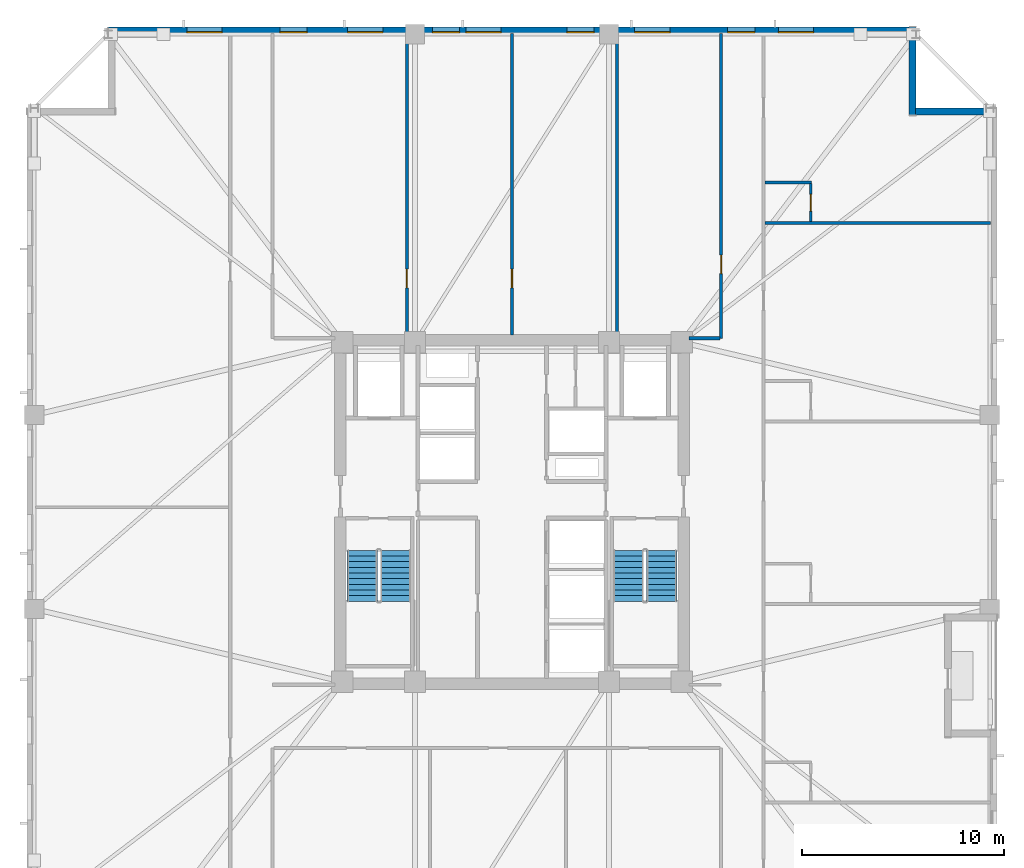
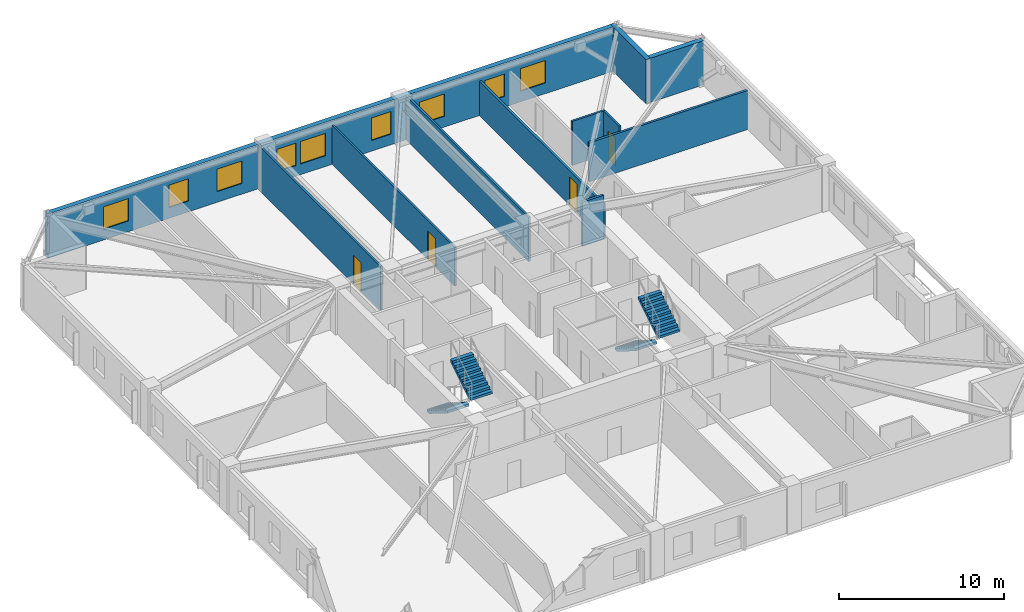
# One storey, part 5 of 10: 11 walls, 9 windows, 4 doors, 4 stair flights, 13 openings, 2 elements without a shape of their own.
"""IFC4 building model written with IfcOpenShell, lengths in metres."""

from ifc_helpers import new_model, si_unit, direction, frame, frame_2d, origin, place, context, subcontext, project, spatial, polyline, rectangle, outline, extrude, material, layer, layer_set, type_object, element, fill, aggregate, save


model = new_model("IFC4")

# Units and contexts
model_context = context("Model", 3, precision=1e-05, world=origin(), true_north=direction((0.0, 1.0)))
body_context = subcontext(model_context, "Body", "Model", "MODEL_VIEW")
ifc_project = project(units=[si_unit("LENGTHUNIT", "METRE"), si_unit("AREAUNIT", "SQUARE_METRE"), si_unit("VOLUMEUNIT", "CUBIC_METRE"), si_unit("PLANEANGLEUNIT", "RADIAN"), si_unit("MASSUNIT", "GRAM", prefix="KILO")], contexts=[model_context])

# Site, building, storey
site_placement = place(None, origin())
site = spatial("IfcSite", under=ifc_project, at=site_placement, CompositionType="ELEMENT")
building_placement = place(site_placement, origin())
building = spatial("IfcBuilding", under=site, at=building_placement, Name="Cairnveth Concourse Tower", CompositionType="ELEMENT")
storey_placement = place(building_placement, frame((0.0, 0.0, 179.5)))
storey = spatial("IfcBuildingStorey", under=building, at=storey_placement, Name="L49", CompositionType="ELEMENT", Elevation=179.5)

# Wall, opening, door
ifc_material_1 = material(Name="Gypsum Plasterboard Partition", Category="gypsum")
ifc_layer_1 = layer(ifc_material_1, 0.159912109375)
ifc_layer_set_1 = layer_set([ifc_layer_1], Name="Gypsum Plasterboard Partition")
wall_type_1 = type_object("IfcWallType", Name="ACOUSTIC PARTY WALL 180", PredefinedType="PARTITIONING", material=ifc_layer_set_1)
wall_1_placement = place(storey_placement, frame((62.35009765625, 47.60009765625, 0.0), z_axis=(0.0, 0.0, 1.0), x_axis=(0.0, 1.0, 0.0)))
wall_1 = element("IfcWall", 1, at=wall_1_placement, inside=storey, type_object=wall_type_1, Name="Interior Wall IW-L49-043", PredefinedType="PARTITIONING", context=body_context, shape_type="SweptSolid", body=[
    extrude(rectangle(XDim=15.074951171875, YDim=0.159912109375, at=frame_2d((7.53759765625, 0.0))), origin(), (0.0, 0.0, 1.0), 2.554931640625),
])
opening_1_placement = place(wall_1_placement, frame((3.199951171875, 0.0, 0.0)))
opening_1 = element("IfcOpeningElement", 2, at=opening_1_placement, cuts=wall_1, Name="Opening ID15", PredefinedType="OPENING", context=body_context, shape_type="SweptSolid", body=[
    extrude(rectangle(XDim=0.919921875, YDim=2.1201171875, at=frame_2d((0.4599609375, 1.06005859375))), frame((0.0, 0.08984375, 0.0), z_axis=(0.0, -1.0, 0.0), x_axis=(1.0, 0.0, 0.0)), (0.0, 0.0, 1.0), 0.179931640625),
])
ifc_material_2 = material(Name="Solid Core Hardwood Timber Leaf", Category="wood")
door_type_1 = type_object("IfcDoorType", Name="INTERIOR SINGLE DOOR 920X2100", OperationType="NOTDEFINED", PredefinedType="DOOR", material=ifc_material_2)
door_1_placement = place(opening_1_placement, origin())
door_1 = element("IfcDoor", 3, at=door_1_placement, inside=storey, type_object=door_type_1, Name="Interior Door DR-L49-018", OperationType="SINGLE_SWING_RIGHT", OverallHeight=2.1201171875, OverallWidth=0.919921875, PredefinedType="DOOR", context=body_context, shape_type="SweptSolid", body=[
    extrude(rectangle(XDim=0.919921875, YDim=2.1201171875, at=frame_2d((0.4599609375, 1.06005859375))), frame((0.0, 0.02490234375, 0.0), z_axis=(0.0, -1.0, 0.0), x_axis=(1.0, 0.0, 0.0)), (0.0, 0.0, 1.0), 0.050048828125),
])
fill(opening_1, door_1)

# Walls
wall_2_placement = place(storey_placement, frame((60.764892578125, 47.60009765625, 0.0), z_axis=(0.0, 0.0, 1.0), x_axis=(1.0, 0.0, 0.0)))
element("IfcWall", 4, at=wall_2_placement, inside=storey, type_object=wall_type_1, Name="Interior Wall IW-L49-045", PredefinedType="PARTITIONING", context=body_context, shape_type="SweptSolid", body=[
    extrude(rectangle(XDim=1.52001953125, YDim=0.159912109375, at=frame_2d((0.760009765625, 0.0))), origin(), (0.0, 0.0, 1.0), 3.280029296875),
])
wall_3_placement = place(storey_placement, frame((64.530029296875, 53.308837890625, 0.0), z_axis=(0.0, 0.0, 1.0), x_axis=(1.0, 0.0, 0.0)))
element("IfcWall", 5, at=wall_3_placement, inside=storey, type_object=wall_type_1, Name="Interior Wall IW-L49-065", PredefinedType="PARTITIONING", context=body_context, shape_type="SweptSolid", body=[
    extrude(rectangle(XDim=11.14501953125, YDim=0.159912109375, at=frame_2d((5.572509765625, 0.0))), origin(), (0.0, 0.0, 1.0), 2.89599609375),
])

# Wall, opening, door
ifc_layer_2 = layer(ifc_material_1, 0.139892578125)
ifc_layer_set_2 = layer_set([ifc_layer_2], Name="Gypsum Plasterboard Partition")
wall_type_2 = type_object("IfcWallType", Name="GYPSUM STUD PARTITION 140", PredefinedType="PARTITIONING", material=ifc_layer_set_2)
wall_4_placement = place(storey_placement, frame((46.800048828125, 47.760009765625, 0.0), z_axis=(0.0, 0.0, 1.0), x_axis=(0.0, 1.0, 0.0)))
wall_4 = element("IfcWall", 6, at=wall_4_placement, inside=storey, type_object=wall_type_2, Name="Interior Wall IW-L49-047", PredefinedType="PARTITIONING", context=body_context, shape_type="SweptSolid", body=[
    extrude(rectangle(XDim=14.9150390625, YDim=0.139892578125, at=frame_2d((7.45751953125, 0.0))), origin(), (0.0, 0.0, 1.0), 3.280029296875),
])
opening_2_placement = place(wall_4_placement, frame((2.340087890625, 0.0, 0.0)))
opening_2 = element("IfcOpeningElement", 7, at=opening_2_placement, cuts=wall_4, Name="Opening ID15", PredefinedType="OPENING", context=body_context, shape_type="SweptSolid", body=[
    extrude(rectangle(XDim=0.919921875, YDim=2.1201171875, at=frame_2d((0.4599609375, 1.06005859375))), frame((0.0, 0.079833984375, 0.0), z_axis=(0.0, -1.0, 0.0), x_axis=(1.0, 0.0, 0.0)), (0.0, 0.0, 1.0), 0.159912109375),
])
door_2_placement = place(opening_2_placement, origin())
door_2 = element("IfcDoor", 8, at=door_2_placement, inside=storey, type_object=door_type_1, Name="Interior Door DR-L49-016", OperationType="SINGLE_SWING_RIGHT", OverallHeight=2.1201171875, OverallWidth=0.919921875, PredefinedType="DOOR", context=body_context, shape_type="SweptSolid", body=[
    extrude(rectangle(XDim=0.919921875, YDim=2.1201171875, at=frame_2d((0.4599609375, 1.06005859375))), frame((0.0, 0.02490234375, 0.0), z_axis=(0.0, -1.0, 0.0), x_axis=(1.0, 0.0, 0.0)), (0.0, 0.0, 1.0), 0.050048828125),
])
fill(opening_2, door_2)

wall_5_placement = place(storey_placement, frame((52.0, 47.760009765625, 0.0), z_axis=(0.0, 0.0, 1.0), x_axis=(0.0, 1.0, 0.0)))
wall_5 = element("IfcWall", 9, at=wall_5_placement, inside=storey, type_object=wall_type_2, Name="Interior Wall IW-L49-048", PredefinedType="PARTITIONING", context=body_context, shape_type="SweptSolid", body=[
    extrude(rectangle(XDim=14.9150390625, YDim=0.139892578125, at=frame_2d((7.45751953125, 0.0))), origin(), (0.0, 0.0, 1.0), 2.89599609375),
])
opening_3_placement = place(wall_5_placement, frame((2.340087890625, 0.0, 0.0)))
opening_3 = element("IfcOpeningElement", 10, at=opening_3_placement, cuts=wall_5, Name="Opening ID15", PredefinedType="OPENING", context=body_context, shape_type="SweptSolid", body=[
    extrude(rectangle(XDim=0.919921875, YDim=2.1201171875, at=frame_2d((0.4599609375, 1.06005859375))), frame((0.0, 0.079833984375, 0.0), z_axis=(0.0, -1.0, 0.0), x_axis=(1.0, 0.0, 0.0)), (0.0, 0.0, 1.0), 0.159912109375),
])
door_3_placement = place(opening_3_placement, origin())
door_3 = element("IfcDoor", 11, at=door_3_placement, inside=storey, type_object=door_type_1, Name="Interior Door DR-L49-017", OperationType="SINGLE_SWING_LEFT", OverallHeight=2.1201171875, OverallWidth=0.919921875, PredefinedType="DOOR", context=body_context, shape_type="SweptSolid", body=[
    extrude(rectangle(XDim=0.919921875, YDim=2.1201171875, at=frame_2d((0.4599609375, 1.06005859375))), frame((0.0, 0.02490234375, 0.0), z_axis=(0.0, -1.0, 0.0), x_axis=(1.0, 0.0, 0.0)), (0.0, 0.0, 1.0), 0.050048828125),
])
fill(opening_3, door_3)

# Walls
wall_6_placement = place(storey_placement, frame((57.199951171875, 47.760009765625, 0.0), z_axis=(0.0, 0.0, 1.0), x_axis=(0.0, 1.0, 0.0)))
element("IfcWall", 12, at=wall_6_placement, inside=storey, type_object=wall_type_2, Name="Interior Wall IW-L49-049", PredefinedType="PARTITIONING", context=body_context, shape_type="SweptSolid", body=[
    extrude(rectangle(XDim=14.9150390625, YDim=0.139892578125, at=frame_2d((7.45751953125, 0.0))), origin(), (0.0, 0.0, 1.0), 3.280029296875),
])
ifc_layer_3 = layer(ifc_material_1, 0.1298828125)
ifc_layer_set_3 = layer_set([ifc_layer_3], Name="Gypsum Plasterboard Partition")
wall_type_3 = type_object("IfcWallType", Name="WET AREA PARTITION 140", PredefinedType="PLUMBINGWALL", material=ifc_layer_set_3)
wall_7_placement = place(storey_placement, frame((64.514892578125, 55.308837890625, 0.0), z_axis=(0.0, 0.0, 1.0), x_axis=(1.0, 0.0, 0.0)))
element("IfcWall", 13, at=wall_7_placement, inside=storey, type_object=wall_type_3, Name="Interior Wall IW-L49-066", PredefinedType="PLUMBINGWALL", context=body_context, shape_type="SweptSolid", body=[
    extrude(rectangle(XDim=2.315185546875, YDim=0.1298828125, at=frame_2d((1.15771484375, 0.0))), origin(), (0.0, 0.0, 1.0), 3.280029296875),
])

# Wall, opening, door
wall_8_placement = place(storey_placement, frame((66.780029296875, 53.373779296875, 0.0), z_axis=(0.0, 0.0, 1.0), x_axis=(0.0, 1.0, 0.0)))
wall_8 = element("IfcWall", 14, at=wall_8_placement, inside=storey, type_object=wall_type_3, Name="Interior Wall IW-L49-067", PredefinedType="PLUMBINGWALL", context=body_context, shape_type="SweptSolid", body=[
    extrude(rectangle(XDim=1.885009765625, YDim=0.1298828125, at=frame_2d((0.9423828125, 0.0))), origin(), (0.0, 0.0, 1.0), 3.280029296875),
])
opening_4_placement = place(wall_8_placement, frame((0.52490234375, 0.0, 0.0)))
opening_4 = element("IfcOpeningElement", 15, at=opening_4_placement, cuts=wall_8, Name="Opening ID22", PredefinedType="OPENING", context=body_context, shape_type="SweptSolid", body=[
    extrude(rectangle(XDim=0.820068359375, YDim=2.10009765625, at=frame_2d((0.41015625, 1.050048828125))), frame((0.0, 0.074951171875, 0.0), z_axis=(0.0, -1.0, 0.0), x_axis=(1.0, 0.0, 0.0)), (0.0, 0.0, 1.0), 0.14990234375),
])
door_type_2 = type_object("IfcDoorType", Name="INTERIOR WC DOOR 820X2100", OperationType="NOTDEFINED", PredefinedType="DOOR", material=ifc_material_2)
door_4_placement = place(opening_4_placement, origin())
door_4 = element("IfcDoor", 16, at=door_4_placement, inside=storey, type_object=door_type_2, Name="En-Suite Door L49-E5", OperationType="SINGLE_SWING_RIGHT", OverallHeight=2.10009765625, OverallWidth=0.820068359375, PredefinedType="DOOR", context=body_context, shape_type="SweptSolid", body=[
    extrude(rectangle(XDim=0.820068359375, YDim=2.10009765625, at=frame_2d((0.41015625, 1.050048828125))), frame((0.0, 0.02490234375, 0.0), z_axis=(0.0, -1.0, 0.0), x_axis=(1.0, 0.0, 0.0)), (0.0, 0.0, 1.0), 0.050048828125),
])
fill(opening_4, door_4)

# Wall, openings, windows
ifc_material_3 = material(Name="Hawthorn Red-Ochre Fired Clay Brick Masonry", Category="masonry")
ifc_layer_4 = layer(ifc_material_3, 0.340087890625)
ifc_layer_set_4 = layer_set([ifc_layer_4], Name="Hawthorn Red-Ochre Fired Clay Brick Masonry")
wall_type_4 = type_object("IfcWallType", Name="ZONE 2 BRICK PIER SPANDREL WALL 340", PredefinedType="SOLIDWALL", material=ifc_layer_set_4)
wall_9_placement = place(storey_placement, frame((32.0, 62.830078125, 0.0), z_axis=(0.0, 0.0, 1.0), x_axis=(1.0, 0.0, 0.0)))
wall_9 = element("IfcWall", 17, at=wall_9_placement, inside=storey, type_object=wall_type_4, Name="Exterior Wall EW-L49-S09", PredefinedType="SOLIDWALL", context=body_context, shape_type="SweptSolid", body=[
    extrude(rectangle(XDim=39.681884765625, YDim=0.340087890625, at=frame_2d((19.8408203125, 0.0))), origin(), (0.0, 0.0, 1.0), 3.280029296875),
])
opening_5_placement = place(wall_9_placement, frame((3.90185546875, 0.0, 0.800048828125)))
opening_5 = element("IfcOpeningElement", 18, at=opening_5_placement, cuts=wall_9, Name="Opening W06", PredefinedType="OPENING", context=body_context, shape_type="SweptSolid", body=[
    extrude(rectangle(XDim=1.75, YDim=1.659912109375, at=frame_2d((0.875, 0.830078125))), frame((0.0, 0.179931640625, 0.0), z_axis=(0.0, -1.0, 0.0), x_axis=(1.0, 0.0, 0.0)), (0.0, 0.0, 1.0), 0.360107421875),
])
opening_6_placement = place(wall_9_placement, frame((8.50537109375, 0.0, 0.800048828125)))
opening_6 = element("IfcOpeningElement", 19, at=opening_6_placement, cuts=wall_9, Name="Opening W02", PredefinedType="OPENING", context=body_context, shape_type="SweptSolid", body=[
    extrude(rectangle(XDim=1.35009765625, YDim=1.659912109375, at=frame_2d((0.675048828125, 0.830078125))), frame((0.0, 0.179931640625, 0.0), z_axis=(0.0, -1.0, 0.0), x_axis=(1.0, 0.0, 0.0)), (0.0, 0.0, 1.0), 0.360107421875),
])
opening_7_placement = place(wall_9_placement, frame((11.85888671875, 0.0, 0.800048828125)))
opening_7 = element("IfcOpeningElement", 20, at=opening_7_placement, cuts=wall_9, Name="Opening W06", PredefinedType="OPENING", context=body_context, shape_type="SweptSolid", body=[
    extrude(rectangle(XDim=1.75, YDim=1.659912109375, at=frame_2d((0.875, 0.830078125))), frame((0.0, 0.179931640625, 0.0), z_axis=(0.0, -1.0, 0.0), x_axis=(1.0, 0.0, 0.0)), (0.0, 0.0, 1.0), 0.360107421875),
])
opening_8_placement = place(wall_9_placement, frame((16.0625, 0.0, 0.800048828125)))
opening_8 = element("IfcOpeningElement", 21, at=opening_8_placement, cuts=wall_9, Name="Opening W02", PredefinedType="OPENING", context=body_context, shape_type="SweptSolid", body=[
    extrude(rectangle(XDim=1.35009765625, YDim=1.659912109375, at=frame_2d((0.675048828125, 0.830078125))), frame((0.0, 0.179931640625, 0.0), z_axis=(0.0, -1.0, 0.0), x_axis=(1.0, 0.0, 0.0)), (0.0, 0.0, 1.0), 0.360107421875),
])
opening_9_placement = place(wall_9_placement, frame((17.716064453125, 0.0, 0.800048828125)))
opening_9 = element("IfcOpeningElement", 22, at=opening_9_placement, cuts=wall_9, Name="Opening W06", PredefinedType="OPENING", context=body_context, shape_type="SweptSolid", body=[
    extrude(rectangle(XDim=1.75, YDim=1.659912109375, at=frame_2d((0.875, 0.830078125))), frame((0.0, 0.179931640625, 0.0), z_axis=(0.0, -1.0, 0.0), x_axis=(1.0, 0.0, 0.0)), (0.0, 0.0, 1.0), 0.360107421875),
])
opening_10_placement = place(wall_9_placement, frame((22.719482421875, 0.0, 0.800048828125)))
opening_10 = element("IfcOpeningElement", 23, at=opening_10_placement, cuts=wall_9, Name="Opening W02", PredefinedType="OPENING", context=body_context, shape_type="SweptSolid", body=[
    extrude(rectangle(XDim=1.35009765625, YDim=1.659912109375, at=frame_2d((0.675048828125, 0.830078125))), frame((0.0, 0.179931640625, 0.0), z_axis=(0.0, -1.0, 0.0), x_axis=(1.0, 0.0, 0.0)), (0.0, 0.0, 1.0), 0.360107421875),
])
opening_11_placement = place(wall_9_placement, frame((26.072998046875, 0.0, 0.800048828125)))
opening_11 = element("IfcOpeningElement", 24, at=opening_11_placement, cuts=wall_9, Name="Opening W06", PredefinedType="OPENING", context=body_context, shape_type="SweptSolid", body=[
    extrude(rectangle(XDim=1.75, YDim=1.659912109375, at=frame_2d((0.875, 0.830078125))), frame((0.0, 0.179931640625, 0.0), z_axis=(0.0, -1.0, 0.0), x_axis=(1.0, 0.0, 0.0)), (0.0, 0.0, 1.0), 0.360107421875),
])
opening_12_placement = place(wall_9_placement, frame((30.6767578125, 0.0, 0.800048828125)))
opening_12 = element("IfcOpeningElement", 25, at=opening_12_placement, cuts=wall_9, Name="Opening W02", PredefinedType="OPENING", context=body_context, shape_type="SweptSolid", body=[
    extrude(rectangle(XDim=1.35009765625, YDim=1.659912109375, at=frame_2d((0.675048828125, 0.830078125))), frame((0.0, 0.179931640625, 0.0), z_axis=(0.0, -1.0, 0.0), x_axis=(1.0, 0.0, 0.0)), (0.0, 0.0, 1.0), 0.360107421875),
])
opening_13_placement = place(wall_9_placement, frame((33.18017578125, 0.0, 0.800048828125)))
opening_13 = element("IfcOpeningElement", 26, at=opening_13_placement, cuts=wall_9, Name="Opening W06", PredefinedType="OPENING", context=body_context, shape_type="SweptSolid", body=[
    extrude(rectangle(XDim=1.75, YDim=1.659912109375, at=frame_2d((0.875, 0.830078125))), frame((0.0, 0.179931640625, 0.0), z_axis=(0.0, -1.0, 0.0), x_axis=(1.0, 0.0, 0.0)), (0.0, 0.0, 1.0), 0.360107421875),
])
ifc_material_4 = material(Name="Double Glazed Low-E Clear Glass", Category="glass")
window_type_1 = type_object("IfcWindowType", Name="DEEP-SET GOTHIC LANCET WINDOW 1350X1800", PartitioningType="DOUBLE_PANEL_VERTICAL", PredefinedType="WINDOW", material=ifc_material_4)
window_1_placement = place(opening_6_placement, origin())
window_1 = element("IfcWindow", 27, at=window_1_placement, inside=storey, type_object=window_type_1, Name="Gothic Lancet Window L49-9-2", OverallHeight=1.659912109375, OverallWidth=1.35009765625, PartitioningType="SINGLE_PANEL", PredefinedType="WINDOW", context=body_context, shape_type="SweptSolid", body=[
    extrude(rectangle(XDim=1.35009765625, YDim=1.659912109375, at=frame_2d((0.675048828125, 0.830078125))), frame((0.0, -0.050048828125, 0.0), z_axis=(0.0, -1.0, 0.0), x_axis=(1.0, 0.0, 0.0)), (0.0, 0.0, 1.0), 0.06005859375),
])
fill(opening_6, window_1)
window_2_placement = place(opening_8_placement, origin())
window_2 = element("IfcWindow", 28, at=window_2_placement, inside=storey, type_object=window_type_1, Name="Gothic Lancet Window L49-9-4", OverallHeight=1.659912109375, OverallWidth=1.35009765625, PartitioningType="SINGLE_PANEL", PredefinedType="WINDOW", context=body_context, shape_type="SweptSolid", body=[
    extrude(rectangle(XDim=1.35009765625, YDim=1.659912109375, at=frame_2d((0.675048828125, 0.830078125))), frame((0.0, -0.050048828125, 0.0), z_axis=(0.0, -1.0, 0.0), x_axis=(1.0, 0.0, 0.0)), (0.0, 0.0, 1.0), 0.06005859375),
])
fill(opening_8, window_2)
window_3_placement = place(opening_10_placement, origin())
window_3 = element("IfcWindow", 29, at=window_3_placement, inside=storey, type_object=window_type_1, Name="Gothic Lancet Window L49-9-6", OverallHeight=1.659912109375, OverallWidth=1.35009765625, PartitioningType="SINGLE_PANEL", PredefinedType="WINDOW", context=body_context, shape_type="SweptSolid", body=[
    extrude(rectangle(XDim=1.35009765625, YDim=1.659912109375, at=frame_2d((0.675048828125, 0.830078125))), frame((0.0, -0.050048828125, 0.0), z_axis=(0.0, -1.0, 0.0), x_axis=(1.0, 0.0, 0.0)), (0.0, 0.0, 1.0), 0.06005859375),
])
fill(opening_10, window_3)
window_4_placement = place(opening_12_placement, origin())
window_4 = element("IfcWindow", 30, at=window_4_placement, inside=storey, type_object=window_type_1, Name="Gothic Lancet Window L49-9-8", OverallHeight=1.659912109375, OverallWidth=1.35009765625, PartitioningType="SINGLE_PANEL", PredefinedType="WINDOW", context=body_context, shape_type="SweptSolid", body=[
    extrude(rectangle(XDim=1.35009765625, YDim=1.659912109375, at=frame_2d((0.675048828125, 0.830078125))), frame((0.0, -0.050048828125, 0.0), z_axis=(0.0, -1.0, 0.0), x_axis=(1.0, 0.0, 0.0)), (0.0, 0.0, 1.0), 0.06005859375),
])
fill(opening_12, window_4)
window_type_2 = type_object("IfcWindowType", Name="DEEP-SET HOTEL SUITE WINDOW 1750X1800", PartitioningType="DOUBLE_PANEL_VERTICAL", PredefinedType="WINDOW", material=ifc_material_4)
window_5_placement = place(opening_5_placement, origin())
window_5 = element("IfcWindow", 31, at=window_5_placement, inside=storey, type_object=window_type_2, Name="Gothic Lancet Window L49-9-1", OverallHeight=1.659912109375, OverallWidth=1.75, PartitioningType="SINGLE_PANEL", PredefinedType="WINDOW", context=body_context, shape_type="SweptSolid", body=[
    extrude(rectangle(XDim=1.75, YDim=1.659912109375, at=frame_2d((0.875, 0.830078125))), frame((0.0, -0.050048828125, 0.0), z_axis=(0.0, -1.0, 0.0), x_axis=(1.0, 0.0, 0.0)), (0.0, 0.0, 1.0), 0.06005859375),
])
fill(opening_5, window_5)
window_6_placement = place(opening_7_placement, origin())
window_6 = element("IfcWindow", 32, at=window_6_placement, inside=storey, type_object=window_type_2, Name="Gothic Lancet Window L49-9-3", OverallHeight=1.659912109375, OverallWidth=1.75, PartitioningType="SINGLE_PANEL", PredefinedType="WINDOW", context=body_context, shape_type="SweptSolid", body=[
    extrude(rectangle(XDim=1.75, YDim=1.659912109375, at=frame_2d((0.875, 0.830078125))), frame((0.0, -0.050048828125, 0.0), z_axis=(0.0, -1.0, 0.0), x_axis=(1.0, 0.0, 0.0)), (0.0, 0.0, 1.0), 0.06005859375),
])
fill(opening_7, window_6)
window_7_placement = place(opening_9_placement, origin())
window_7 = element("IfcWindow", 33, at=window_7_placement, inside=storey, type_object=window_type_2, Name="Gothic Lancet Window L49-9-5", OverallHeight=1.659912109375, OverallWidth=1.75, PartitioningType="SINGLE_PANEL", PredefinedType="WINDOW", context=body_context, shape_type="SweptSolid", body=[
    extrude(rectangle(XDim=1.75, YDim=1.659912109375, at=frame_2d((0.875, 0.830078125))), frame((0.0, -0.050048828125, 0.0), z_axis=(0.0, -1.0, 0.0), x_axis=(1.0, 0.0, 0.0)), (0.0, 0.0, 1.0), 0.06005859375),
])
fill(opening_9, window_7)
window_8_placement = place(opening_11_placement, origin())
window_8 = element("IfcWindow", 34, at=window_8_placement, inside=storey, type_object=window_type_2, Name="Gothic Lancet Window L49-9-7", OverallHeight=1.659912109375, OverallWidth=1.75, PartitioningType="SINGLE_PANEL", PredefinedType="WINDOW", context=body_context, shape_type="SweptSolid", body=[
    extrude(rectangle(XDim=1.75, YDim=1.659912109375, at=frame_2d((0.875, 0.830078125))), frame((0.0, -0.050048828125, 0.0), z_axis=(0.0, -1.0, 0.0), x_axis=(1.0, 0.0, 0.0)), (0.0, 0.0, 1.0), 0.06005859375),
])
fill(opening_11, window_8)
window_9_placement = place(opening_13_placement, origin())
window_9 = element("IfcWindow", 35, at=window_9_placement, inside=storey, type_object=window_type_2, Name="Gothic Lancet Window L49-9-9", OverallHeight=1.659912109375, OverallWidth=1.75, PartitioningType="SINGLE_PANEL", PredefinedType="WINDOW", context=body_context, shape_type="SweptSolid", body=[
    extrude(rectangle(XDim=1.75, YDim=1.659912109375, at=frame_2d((0.875, 0.830078125))), frame((0.0, -0.050048828125, 0.0), z_axis=(0.0, -1.0, 0.0), x_axis=(1.0, 0.0, 0.0)), (0.0, 0.0, 1.0), 0.06005859375),
])
fill(opening_13, window_9)

# Walls
wall_10_placement = place(storey_placement, frame((71.830078125, 63.0, 0.0), z_axis=(0.0, 0.0, 1.0), x_axis=(0.0, -1.0, 0.0)))
element("IfcWall", 36, at=wall_10_placement, inside=storey, type_object=wall_type_4, Name="Exterior Wall EW-L49-S10", PredefinedType="SOLIDWALL", context=body_context, shape_type="SweptSolid", body=[
    extrude(rectangle(XDim=4.340087890625, YDim=0.340087890625, at=frame_2d((2.169921875, 0.0))), origin(), (0.0, 0.0, 1.0), 3.280029296875),
])
wall_11_placement = place(storey_placement, frame((71.97802734375, 58.830078125, 0.0), z_axis=(0.0, 0.0, 1.0), x_axis=(1.0, 0.0, 0.0)))
element("IfcWall", 37, at=wall_11_placement, inside=storey, type_object=wall_type_4, Name="Exterior Wall EW-L49-S11", PredefinedType="SOLIDWALL", context=body_context, shape_type="SweptSolid", body=[
    extrude(rectangle(XDim=3.703857421875, YDim=0.340087890625, at=frame_2d((1.85205078125, 0.0))), origin(), (0.0, 0.0, 1.0), 3.280029296875),
])

# Stair, stair flights
ifc_material_5 = material(Name="Precast concrete N50 (50 MPa)", Category="concrete")
stair_type = type_object("IfcStairType", Name="CORE DOG-LEG FIRE STAIR 1500", PredefinedType="HALF_TURN_STAIR", material=ifc_material_5)
stair_1_placement = place(storey_placement, origin())
stair_1 = element("IfcStair", 38, at=stair_1_placement, inside=storey, type_object=stair_type, Name="L49 Fire-Isolated Stair ST-1", PredefinedType="HALF_TURN_STAIR")
stair_flight_type = type_object("IfcStairFlightType", Name="PRECAST CONCRETE STAIR FLIGHT 1500", PredefinedType="STRAIGHT", material=ifc_material_5)
stair_flight_1_placement = place(storey_placement, frame((44.590087890625, 37.10009765625, 0.0), z_axis=(0.0, 0.0, 1.0), x_axis=(0.0, -1.0, 0.0)))
stair_flight_1 = element("IfcStairFlight", 39, at=stair_flight_1_placement, type_object=stair_flight_type, Name="ST-1 flight 1", NumberOfRisers=10, NumberOfTreads=9, PredefinedType="STRAIGHT", RiserHeight=0.175, TreadLength=0.28, context=body_context, shape_type="SweptSolid", body=[
    extrude(outline(polyline([(0.0, 0.0), (0.0, 0.175048828125), (0.280029296875, 0.175048828125), (0.280029296875, 0.35009765625), (0.56005859375, 0.35009765625), (0.56005859375, 0.52490234375), (0.840087890625, 0.52490234375), (0.840087890625, 0.699951171875), (1.1201171875, 0.699951171875), (1.1201171875, 0.875), (1.39990234375, 0.875), (1.39990234375, 1.050048828125), (1.679931640625, 1.050048828125), (1.679931640625, 1.22509765625), (1.9599609375, 1.22509765625), (1.9599609375, 1.39990234375), (2.239990234375, 1.39990234375), (2.239990234375, 1.574951171875), (2.52001953125, 1.574951171875), (2.52001953125, 1.75), (2.52001953125, 1.398193359375), (0.28271484375, 0.0), (0.0, 0.0)])), frame((0.0, 0.75, 0.0), z_axis=(0.0, -1.0, 0.0), x_axis=(1.0, 0.0, 0.0)), (0.0, 0.0, 1.0), 1.5),
])
stair_flight_2_placement = place(storey_placement, frame((46.22998046875, 34.580078125, 1.75), z_axis=(0.0, 0.0, 1.0), x_axis=(0.0, 1.0, 0.0)))
stair_flight_2 = element("IfcStairFlight", 40, at=stair_flight_2_placement, type_object=stair_flight_type, Name="ST-1 flight 2", NumberOfRisers=10, NumberOfTreads=9, PredefinedType="STRAIGHT", RiserHeight=0.175, TreadLength=0.28, context=body_context, shape_type="SweptSolid", body=[
    extrude(outline(polyline([(0.0, 0.0), (0.0, 0.175048828125), (0.280029296875, 0.175048828125), (0.280029296875, 0.35009765625), (0.56005859375, 0.35009765625), (0.56005859375, 0.52490234375), (0.840087890625, 0.52490234375), (0.840087890625, 0.699951171875), (1.1201171875, 0.699951171875), (1.1201171875, 0.875), (1.39990234375, 0.875), (1.39990234375, 1.050048828125), (1.679931640625, 1.050048828125), (1.679931640625, 1.22509765625), (1.9599609375, 1.22509765625), (1.9599609375, 1.39990234375), (2.239990234375, 1.39990234375), (2.239990234375, 1.574951171875), (2.52001953125, 1.574951171875), (2.52001953125, 1.75), (2.52001953125, 1.398193359375), (0.28271484375, 0.0), (0.0, 0.0)])), frame((0.0, 0.75, 0.0), z_axis=(0.0, -1.0, 0.0), x_axis=(1.0, 0.0, 0.0)), (0.0, 0.0, 1.0), 1.5),
])
aggregate(stair_1, [stair_flight_1, stair_flight_2])

stair_2_placement = place(storey_placement, origin())
stair_2 = element("IfcStair", 41, at=stair_2_placement, inside=storey, type_object=stair_type, Name="L49 Fire-Isolated Stair ST-2", PredefinedType="HALF_TURN_STAIR")
stair_flight_3_placement = place(storey_placement, frame((57.77001953125, 37.10009765625, 0.0), z_axis=(0.0, 0.0, 1.0), x_axis=(0.0, -1.0, 0.0)))
stair_flight_3 = element("IfcStairFlight", 42, at=stair_flight_3_placement, type_object=stair_flight_type, Name="ST-2 flight 1", NumberOfRisers=10, NumberOfTreads=9, PredefinedType="STRAIGHT", RiserHeight=0.175, TreadLength=0.28, context=body_context, shape_type="SweptSolid", body=[
    extrude(outline(polyline([(0.0, 0.0), (0.0, 0.175048828125), (0.280029296875, 0.175048828125), (0.280029296875, 0.35009765625), (0.56005859375, 0.35009765625), (0.56005859375, 0.52490234375), (0.840087890625, 0.52490234375), (0.840087890625, 0.699951171875), (1.1201171875, 0.699951171875), (1.1201171875, 0.875), (1.39990234375, 0.875), (1.39990234375, 1.050048828125), (1.679931640625, 1.050048828125), (1.679931640625, 1.22509765625), (1.9599609375, 1.22509765625), (1.9599609375, 1.39990234375), (2.239990234375, 1.39990234375), (2.239990234375, 1.574951171875), (2.52001953125, 1.574951171875), (2.52001953125, 1.75), (2.52001953125, 1.398193359375), (0.28271484375, 0.0), (0.0, 0.0)])), frame((0.0, 0.75, 0.0), z_axis=(0.0, -1.0, 0.0), x_axis=(1.0, 0.0, 0.0)), (0.0, 0.0, 1.0), 1.5),
])
stair_flight_4_placement = place(storey_placement, frame((59.409912109375, 34.580078125, 1.75), z_axis=(0.0, 0.0, 1.0), x_axis=(0.0, 1.0, 0.0)))
stair_flight_4 = element("IfcStairFlight", 43, at=stair_flight_4_placement, type_object=stair_flight_type, Name="ST-2 flight 2", NumberOfRisers=10, NumberOfTreads=9, PredefinedType="STRAIGHT", RiserHeight=0.175, TreadLength=0.28, context=body_context, shape_type="SweptSolid", body=[
    extrude(outline(polyline([(0.0, 0.0), (0.0, 0.175048828125), (0.280029296875, 0.175048828125), (0.280029296875, 0.35009765625), (0.56005859375, 0.35009765625), (0.56005859375, 0.52490234375), (0.840087890625, 0.52490234375), (0.840087890625, 0.699951171875), (1.1201171875, 0.699951171875), (1.1201171875, 0.875), (1.39990234375, 0.875), (1.39990234375, 1.050048828125), (1.679931640625, 1.050048828125), (1.679931640625, 1.22509765625), (1.9599609375, 1.22509765625), (1.9599609375, 1.39990234375), (2.239990234375, 1.39990234375), (2.239990234375, 1.574951171875), (2.52001953125, 1.574951171875), (2.52001953125, 1.75), (2.52001953125, 1.398193359375), (0.28271484375, 0.0), (0.0, 0.0)])), frame((0.0, 0.75, 0.0), z_axis=(0.0, -1.0, 0.0), x_axis=(1.0, 0.0, 0.0)), (0.0, 0.0, 1.0), 1.5),
])
aggregate(stair_2, [stair_flight_3, stair_flight_4])

save(model, "model.ifc")
